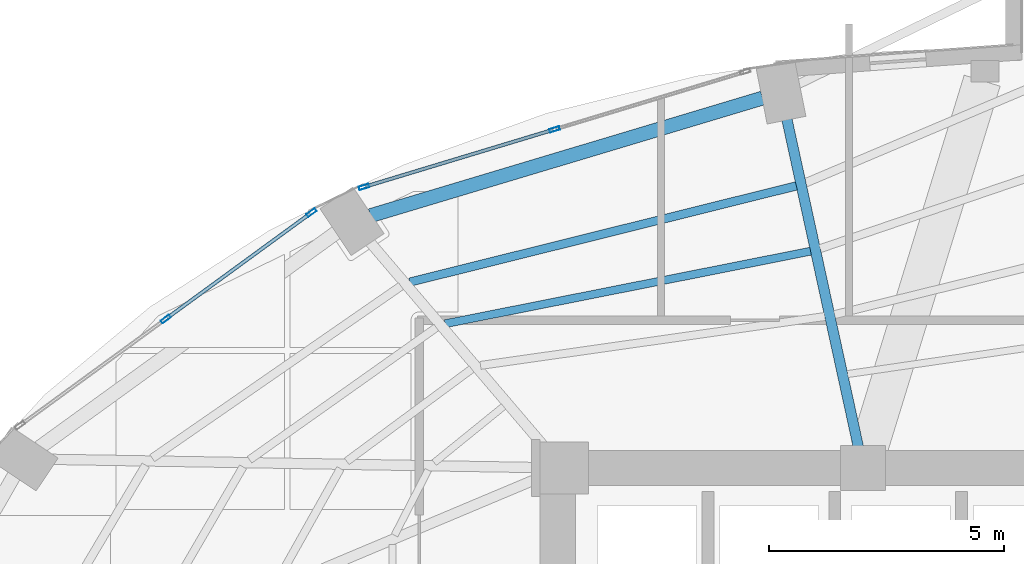
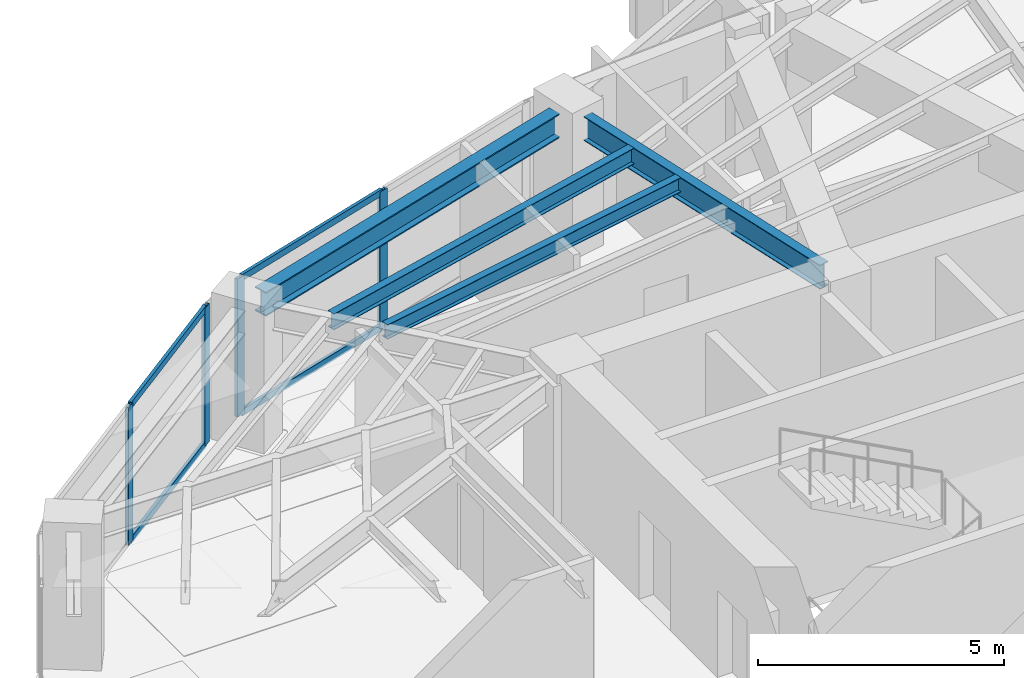
# One storey, part 14 of 23: 8 members, 4 beams, 2 elements without a shape of their own.
"""IFC4 building model written with IfcOpenShell, lengths in metres."""

from ifc_helpers import new_model, si_unit, direction, frame, origin, origin_2d, place, context, subcontext, project, spatial, hollow_rectangle, i_section, extrude, material, layer, layer_set, material_profile, profile_set, type_object, element, aggregate, save


model = new_model("IFC4")

# Units and contexts
model_context = context("Model", 3, precision=1e-05, world=origin(), true_north=direction((0.0, 1.0)))
body_context = subcontext(model_context, "Body", "Model", "MODEL_VIEW")
ifc_project = project(units=[si_unit("LENGTHUNIT", "METRE"), si_unit("AREAUNIT", "SQUARE_METRE"), si_unit("VOLUMEUNIT", "CUBIC_METRE"), si_unit("PLANEANGLEUNIT", "RADIAN"), si_unit("MASSUNIT", "GRAM", prefix="KILO")], contexts=[model_context])

# Site, building, storey
site_placement = place(None, origin())
site = spatial("IfcSite", under=ifc_project, at=site_placement, CompositionType="ELEMENT")
building_placement = place(site_placement, origin())
building = spatial("IfcBuilding", under=site, at=building_placement, Name="Lazwardi Medical Tower", CompositionType="ELEMENT")
storey_placement = place(building_placement, frame((0.0, 0.0, 125.52001953125)))
storey = spatial("IfcBuildingStorey", under=building, at=storey_placement, Name="L32", CompositionType="ELEMENT", Elevation=125.52001953125)

# Beams
ifc_material_1 = material(Name="Steel S355", Category="steel")
ifc_material_profile_1 = material_profile(ifc_material_1, i_section(OverallWidth=0.300048828125, OverallDepth=0.60009765625, WebThickness=0.015380859375, FlangeThickness=0.030029296875, at=origin_2d()), Name="HEB 600")
ifc_profile_set_1 = profile_set([ifc_material_profile_1], Name="Steel S355")
beam_type_1 = type_object("IfcBeamType", Name="BM-RB-Z2", PredefinedType="BEAM", material=ifc_profile_set_1)
beam_1_placement = place(storey_placement, frame((30.661865234375, 43.4794921875, 3.1279296875), z_axis=(-0.957879438442, -0.287170648587, 0.0), x_axis=(0.287170648587, -0.957879438442, 0.0)))
element("IfcBeam", 1, at=beam_1_placement, inside=storey, type_object=beam_type_1, Name="Ring beam RB-03 B09 L32", PredefinedType="BEAM", context=body_context, shape_type="SweptSolid", body=[
    extrude(i_section(OverallWidth=0.300048828125, OverallDepth=0.60009765625, WebThickness=0.015380859375, FlangeThickness=0.030029296875, at=origin_2d()), origin(), (0.0, 0.0, 1.0), 8.719970703125),
])
ifc_material_profile_2 = material_profile(ifc_material_1, i_section(OverallWidth=0.219970703125, OverallDepth=0.60009765625, WebThickness=0.011962890625, FlangeThickness=0.01904296875, at=origin_2d()), Name="IPE 600")
ifc_profile_set_2 = profile_set([ifc_material_profile_2], Name="Steel S355")
beam_type_2 = type_object("IfcBeamType", Name="BM-RG-W1", PredefinedType="BEAM", material=ifc_profile_set_2)
beam_2_placement = place(storey_placement, frame((31.17822265625, 43.03076171875, 3.1279296875), z_axis=(0.213228150441, -0.977002433907, 0.0), x_axis=(0.977002433907, 0.213228150441, 0.0)))
element("IfcBeam", 2, at=beam_2_placement, inside=storey, type_object=beam_type_2, Name="Radial girder RG-02 R09 L32", PredefinedType="BEAM", context=body_context, shape_type="SweptSolid", body=[
    extrude(i_section(OverallWidth=0.219970703125, OverallDepth=0.60009765625, WebThickness=0.011962890625, FlangeThickness=0.01904296875, at=origin_2d()), origin(), (0.0, 0.0, 1.0), 7.145751953125),
])
ifc_material_profile_3 = material_profile(ifc_material_1, i_section(OverallWidth=0.179931640625, OverallDepth=0.39990234375, WebThickness=0.008544921875, FlangeThickness=0.013427734375, at=origin_2d()), Name="IPE 400")
ifc_profile_set_3 = profile_set([ifc_material_profile_3], Name="Steel S355")
beam_type_3 = type_object("IfcBeamType", Name="BM-SJ-01", PredefinedType="JOIST", material=ifc_profile_set_3)
beam_3_placement = place(storey_placement, frame((31.381103515625, 41.609130859375, 3.22802734375), z_axis=(-0.970400881943, -0.241499748081, 0.0), x_axis=(0.241499748081, -0.970400881943, 0.0)))
element("IfcBeam", 3, at=beam_3_placement, inside=storey, type_object=beam_type_3, Name="Secondary joist SJ-01 R1 B09 L32", PredefinedType="JOIST", context=body_context, shape_type="SweptSolid", body=[
    extrude(i_section(OverallWidth=0.179931640625, OverallDepth=0.39990234375, WebThickness=0.008544921875, FlangeThickness=0.013427734375, at=origin_2d()), origin(), (0.0, 0.0, 1.0), 8.48583984375),
])
ifc_material_profile_4 = material_profile(ifc_material_1, i_section(OverallWidth=0.169921875, OverallDepth=0.360107421875, WebThickness=0.008056640625, FlangeThickness=0.0126953125, at=origin_2d()), Name="IPE 360")
ifc_profile_set_4 = profile_set([ifc_material_profile_4], Name="Steel S355")
beam_type_4 = type_object("IfcBeamType", Name="BM-SJ-02", PredefinedType="JOIST", material=ifc_profile_set_4)
beam_4_placement = place(storey_placement, frame((31.684814453125, 40.2177734375, 3.248046875), z_axis=(-0.980878853282, -0.194619308352, 0.0), x_axis=(0.194619308352, -0.980878853282, 0.0)))
element("IfcBeam", 4, at=beam_4_placement, inside=storey, type_object=beam_type_4, Name="Secondary joist SJ-02 R2 B09 L32", PredefinedType="JOIST", context=body_context, shape_type="SweptSolid", body=[
    extrude(i_section(OverallWidth=0.169921875, OverallDepth=0.360107421875, WebThickness=0.008056640625, FlangeThickness=0.0126953125, at=origin_2d()), origin(), (0.0, 0.0, 1.0), 7.93701171875),
])

# Curtain wall, members
ifc_material_2 = material(Name="Anodised bronze aluminium and solar control glazing", Category="aluminium")
ifc_layer = layer(ifc_material_2, 0.195068359375)
ifc_layer_set = layer_set([ifc_layer], Name="Anodised bronze aluminium and solar control glazing")
curtain_wall_type = type_object("IfcCurtainWallType", Name="CW-SYS-03", PredefinedType="NOTDEFINED", material=ifc_layer_set)
curtain_wall_1_placement = place(storey_placement, origin())
curtain_wall_1 = element("IfcCurtainWall", 5, at=curtain_wall_1_placement, inside=storey, type_object=curtain_wall_type, Name="L32 Unitised bronze curtain wall CW-03", PredefinedType="NOTDEFINED")
ifc_material_3 = material(Name="Anodised bronze aluminium", Category="aluminium")
ifc_material_profile_5 = material_profile(ifc_material_3, hollow_rectangle(XDim=0.074951171875, YDim=0.219970703125, WallThickness=0.00390625, at=origin_2d()), Name="ALU-MULLION 220x75x4")
ifc_profile_set_5 = profile_set([ifc_material_profile_5], Name="Anodised bronze aluminium")
member_type_1 = type_object("IfcMemberType", Name="CW-MUL-01", PredefinedType="MULLION", material=ifc_profile_set_5)
member_1_placement = place(storey_placement, frame((26.230712890625, 42.81298828125, 0.0), z_axis=(0.0, 0.0, 1.0), x_axis=(0.28937381157, -0.957216170558, 0.0)))
member_1 = element("IfcMember", 6, at=member_1_placement, type_object=member_type_1, Name="CW-03 mullion 2", PredefinedType="MULLION", context=body_context, shape_type="SweptSolid", body=[
    extrude(hollow_rectangle(XDim=0.074951171875, YDim=0.219970703125, WallThickness=0.00390625, at=origin_2d()), origin(), (0.0, 0.0, 1.0), 3.427978515625),
])
member_2_placement = place(storey_placement, frame((22.171630859375, 41.5859375, 0.0), z_axis=(0.0, 0.0, 1.0), x_axis=(0.28937381157, -0.957216170558, 0.0)))
member_2 = element("IfcMember", 7, at=member_2_placement, type_object=member_type_1, Name="CW-03 mullion 3", PredefinedType="MULLION", context=body_context, shape_type="SweptSolid", body=[
    extrude(hollow_rectangle(XDim=0.074951171875, YDim=0.219970703125, WallThickness=0.00390625, at=origin_2d()), origin(), (0.0, 0.0, 1.0), 3.427978515625),
])

curtain_wall_2_placement = place(storey_placement, origin())
curtain_wall_2 = element("IfcCurtainWall", 8, at=curtain_wall_2_placement, inside=storey, type_object=curtain_wall_type, Name="L32 Unitised bronze curtain wall CW-03", PredefinedType="NOTDEFINED")
member_3_placement = place(storey_placement, frame((21.052734375, 41.03955078125, 0.0), z_axis=(0.0, 0.0, 1.0), x_axis=(0.589530882802, -0.807745837639, 0.0)))
member_3 = element("IfcMember", 9, at=member_3_placement, type_object=member_type_1, Name="CW-03 mullion 1", PredefinedType="MULLION", context=body_context, shape_type="SweptSolid", body=[
    extrude(hollow_rectangle(XDim=0.074951171875, YDim=0.219970703125, WallThickness=0.00390625, at=origin_2d()), origin(), (0.0, 0.0, 1.0), 3.427978515625),
])
member_4_placement = place(storey_placement, frame((17.948974609375, 38.774169921875, 0.0), z_axis=(0.0, 0.0, 1.0), x_axis=(0.589530882802, -0.807745837639, 0.0)))
member_4 = element("IfcMember", 10, at=member_4_placement, type_object=member_type_1, Name="CW-03 mullion 2", PredefinedType="MULLION", context=body_context, shape_type="SweptSolid", body=[
    extrude(hollow_rectangle(XDim=0.074951171875, YDim=0.219970703125, WallThickness=0.00390625, at=origin_2d()), origin(), (0.0, 0.0, 1.0), 3.427978515625),
])

# Member
ifc_material_profile_6 = material_profile(ifc_material_3, hollow_rectangle(XDim=0.074951171875, YDim=0.159912109375, WallThickness=0.00390625, at=origin_2d()), Name="ALU-TRANSOM 160x75x4")
ifc_profile_set_6 = profile_set([ifc_material_profile_6], Name="Anodised bronze aluminium")
member_type_2 = type_object("IfcMemberType", Name="CW-TRN-01", PredefinedType="USERDEFINED", material=ifc_profile_set_6)
member_5_placement = place(storey_placement, frame((26.19482421875, 42.80224609375, 0.03759765625), z_axis=(-0.957220865985, -0.289358279168, 0.0), x_axis=(0.289358279168, -0.957220865985, 0.0)))
member_5 = element("IfcMember", 11, at=member_5_placement, type_object=member_type_2, Name="CW-03 transom 2.1", ObjectType="TRANSOM", PredefinedType="USERDEFINED", context=body_context, shape_type="SweptSolid", body=[
    extrude(hollow_rectangle(XDim=0.074951171875, YDim=0.159912109375, WallThickness=0.00390625, at=origin_2d()), origin(), (0.0, 0.0, 1.0), 4.16552734375),
])

member_6_placement = place(storey_placement, frame((26.19482421875, 42.80224609375, 3.390380859375), z_axis=(-0.957220865985, -0.289358279168, 0.0), x_axis=(0.289358279168, -0.957220865985, 0.0)))
member_6 = element("IfcMember", 12, at=member_6_placement, type_object=member_type_2, Name="CW-03 transom 2.2", ObjectType="TRANSOM", PredefinedType="USERDEFINED", context=body_context, shape_type="SweptSolid", body=[
    extrude(hollow_rectangle(XDim=0.074951171875, YDim=0.159912109375, WallThickness=0.00390625, at=origin_2d()), origin(), (0.0, 0.0, 1.0), 4.16552734375),
])

aggregate(curtain_wall_1, [member_1, member_2, member_5, member_6])

member_7_placement = place(storey_placement, frame((21.0224609375, 41.017578125, 0.03759765625), z_axis=(-0.807731734271, -0.589550206049, 0.0), x_axis=(0.589550206049, -0.807731734271, 0.0)))
member_7 = element("IfcMember", 13, at=member_7_placement, type_object=member_type_2, Name="CW-03 transom 1.1", ObjectType="TRANSOM", PredefinedType="USERDEFINED", context=body_context, shape_type="SweptSolid", body=[
    extrude(hollow_rectangle(XDim=0.074951171875, YDim=0.159912109375, WallThickness=0.00390625, at=origin_2d()), origin(), (0.0, 0.0, 1.0), 3.767578125),
])

member_8_placement = place(storey_placement, frame((21.0224609375, 41.017578125, 3.390380859375), z_axis=(-0.807731734271, -0.589550206049, 0.0), x_axis=(0.589550206049, -0.807731734271, 0.0)))
member_8 = element("IfcMember", 14, at=member_8_placement, type_object=member_type_2, Name="CW-03 transom 1.2", ObjectType="TRANSOM", PredefinedType="USERDEFINED", context=body_context, shape_type="SweptSolid", body=[
    extrude(hollow_rectangle(XDim=0.074951171875, YDim=0.159912109375, WallThickness=0.00390625, at=origin_2d()), origin(), (0.0, 0.0, 1.0), 3.767578125),
])

aggregate(curtain_wall_2, [member_3, member_4, member_7, member_8])

save(model, "model.ifc")
